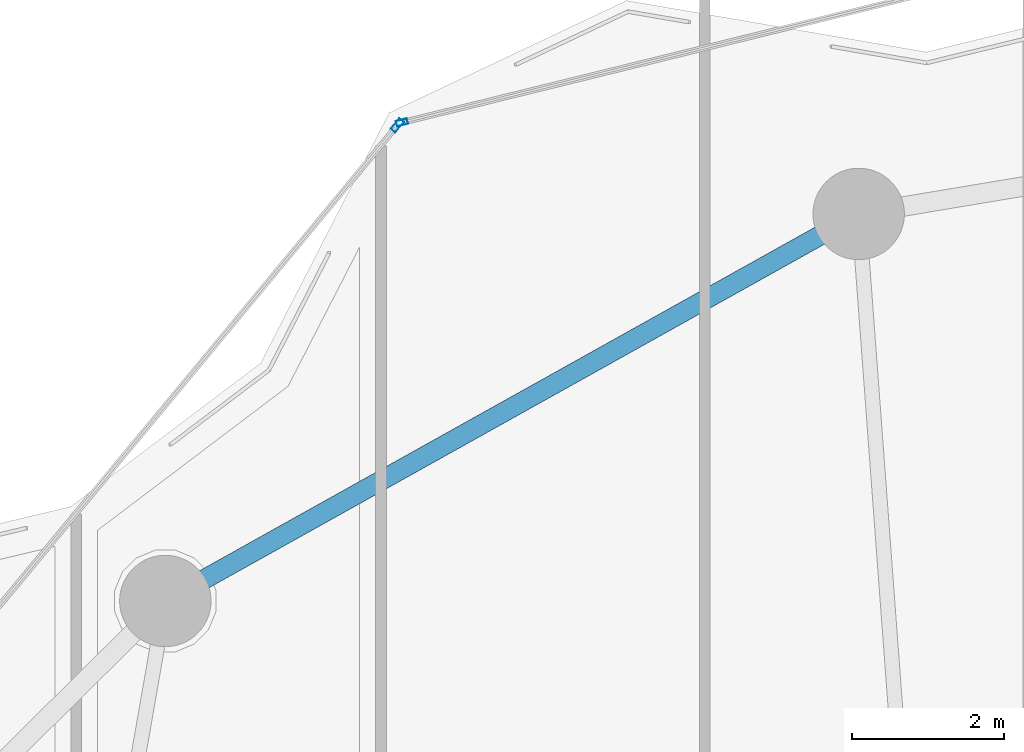
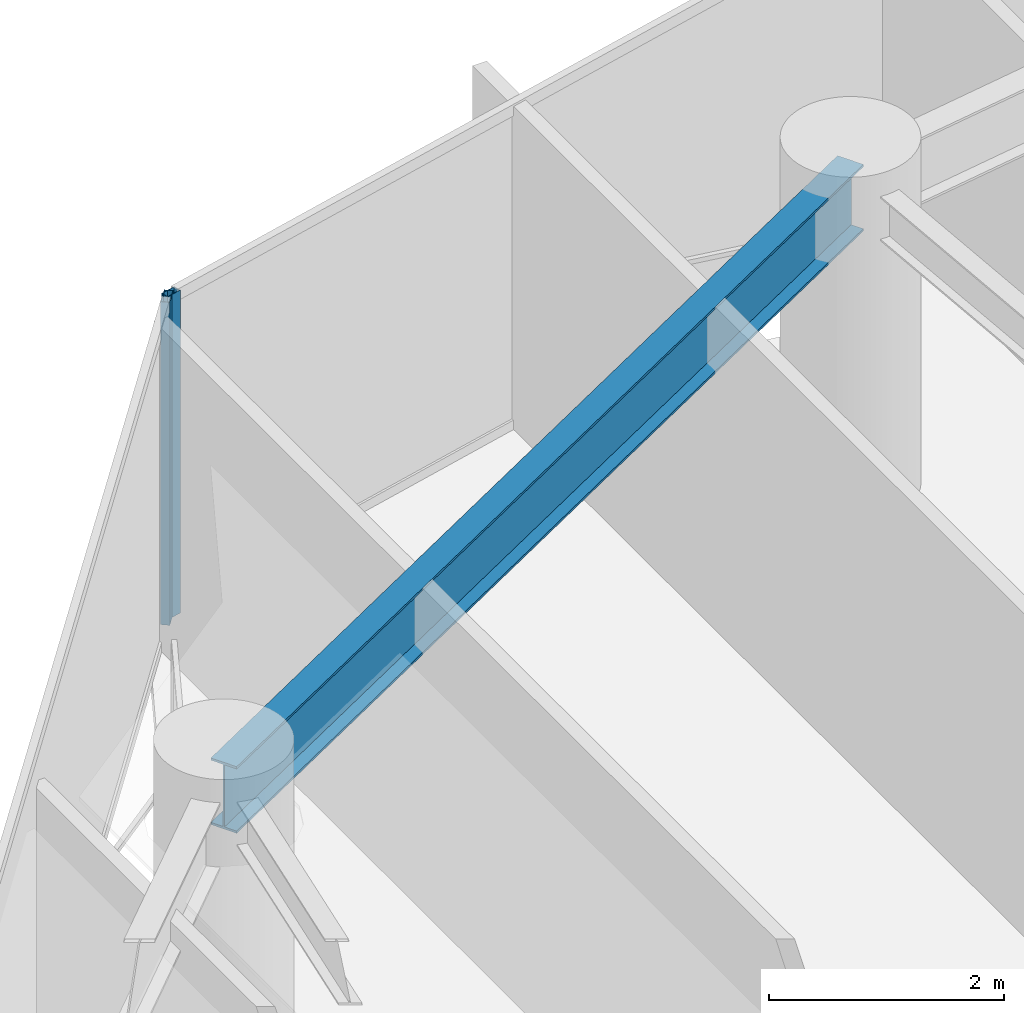
# One storey, part 17 of 28: 2 members, 1 beam, 2 elements without a shape of their own.
"""IFC4 building model written with IfcOpenShell, lengths in metres."""

from ifc_helpers import new_model, si_unit, direction, frame, origin, origin_2d, place, context, subcontext, project, spatial, hollow_rectangle, i_section, extrude, material, layer, layer_set, material_profile, profile_set, type_object, element, aggregate, save


model = new_model("IFC4")

# Units and contexts
model_context = context("Model", 3, precision=1e-05, world=origin(), true_north=direction((0.0, 1.0)))
body_context = subcontext(model_context, "Body", "Model", "MODEL_VIEW")
ifc_project = project(units=[si_unit("LENGTHUNIT", "METRE"), si_unit("AREAUNIT", "SQUARE_METRE"), si_unit("VOLUMEUNIT", "CUBIC_METRE"), si_unit("PLANEANGLEUNIT", "RADIAN"), si_unit("MASSUNIT", "GRAM", prefix="KILO")], contexts=[model_context])

# Site, building, storey
site_placement = place(None, origin())
site = spatial("IfcSite", under=ifc_project, at=site_placement, CompositionType="ELEMENT")
building_placement = place(site_placement, origin())
building = spatial("IfcBuilding", under=site, at=building_placement, Name="Kazevale Care Tower and Concert Hall", CompositionType="ELEMENT")
storey_placement = place(building_placement, frame((0.0, 0.0, 106.199951171875)))
storey = spatial("IfcBuildingStorey", under=building, at=storey_placement, Name="L27", CompositionType="ELEMENT", Elevation=106.199951171875)

# Curtain wall, member
ifc_material_1 = material(Name="Aluminium 6063-T6 and Low-E Glass", Category="aluminium")
ifc_layer_1 = layer(ifc_material_1, 0.179931640625)
ifc_layer_set_1 = layer_set([ifc_layer_1], Name="Aluminium 6063-T6 and Low-E Glass")
curtain_wall_type_1 = type_object("IfcCurtainWallType", Name="Convex Checkerboard Finned Curtain Wall CW-2", PredefinedType="NOTDEFINED", material=ifc_layer_set_1)
curtain_wall_1_placement = place(storey_placement, origin())
curtain_wall_1 = element("IfcCurtainWall", 1, at=curtain_wall_1_placement, inside=storey, type_object=curtain_wall_type_1, Name="cw:L27:f14", PredefinedType="NOTDEFINED")
ifc_material_2 = material(Name="Aluminium 6063-T6", Category="aluminium")
ifc_material_profile_1 = material_profile(ifc_material_2, hollow_rectangle(XDim=0.080078125, YDim=0.179931640625, WallThickness=0.0048828125, at=origin_2d()), Name="ALU80x180x5")
ifc_profile_set_1 = profile_set([ifc_material_profile_1], Name="Aluminium 6063-T6")
member_type_1 = type_object("IfcMemberType", Name="CW-2 Mullion ALU80x180x5", PredefinedType="MULLION", material=ifc_profile_set_1)
member_1_placement = place(storey_placement, frame((28.214599609375, 60.8212890625, 0.0), z_axis=(0.0, 0.0, 1.0), x_axis=(-0.770049579196, 0.637984048061, 0.0)))
member_1 = element("IfcMember", 2, at=member_1_placement, type_object=member_type_1, Name="CW-2 mullion 2", PredefinedType="MULLION", context=body_context, shape_type="SweptSolid", body=[
    extrude(hollow_rectangle(XDim=0.080078125, YDim=0.179931640625, WallThickness=0.0048828125, at=origin_2d()), origin(), (0.0, 0.0, 1.0), 3.360107421875),
])
aggregate(curtain_wall_1, [member_1])

ifc_layer_2 = layer(ifc_material_1, 0.179931640625)
ifc_layer_set_2 = layer_set([ifc_layer_2], Name="Aluminium 6063-T6 and Low-E Glass")
curtain_wall_type_2 = type_object("IfcCurtainWallType", Name="Convex Recessed Sunroom Curtain Wall CW-3", PredefinedType="NOTDEFINED", material=ifc_layer_set_2)
curtain_wall_2_placement = place(storey_placement, origin())
curtain_wall_2 = element("IfcCurtainWall", 3, at=curtain_wall_2_placement, inside=storey, type_object=curtain_wall_type_2, Name="cw:L27:f15", PredefinedType="NOTDEFINED")
ifc_material_profile_2 = material_profile(ifc_material_2, hollow_rectangle(XDim=0.074951171875, YDim=0.14990234375, WallThickness=0.00390625, at=origin_2d()), Name="ALU75x150x4")
ifc_profile_set_2 = profile_set([ifc_material_profile_2], Name="Aluminium 6063-T6")
member_type_2 = type_object("IfcMemberType", Name="CW-3 Mullion ALU75x150x4", PredefinedType="MULLION", material=ifc_profile_set_2)
member_2_placement = place(storey_placement, frame((28.2763671875, 60.861083984375, 0.0), z_axis=(0.0, 0.0, 1.0), x_axis=(-0.239088999495, 0.970997657217, 0.0)))
member_2 = element("IfcMember", 4, at=member_2_placement, type_object=member_type_2, Name="CW-3 mullion 1", PredefinedType="MULLION", context=body_context, shape_type="SweptSolid", body=[
    extrude(hollow_rectangle(XDim=0.074951171875, YDim=0.14990234375, WallThickness=0.00390625, at=origin_2d()), origin(), (0.0, 0.0, 1.0), 3.360107421875),
])
aggregate(curtain_wall_2, [member_2])

# Beam
ifc_material_3 = material(Name="Steel ASTM A572 Gr 50", Category="steel")
ifc_material_profile_3 = material_profile(ifc_material_3, i_section(OverallWidth=0.256103515625, OverallDepth=0.693115234375, WebThickness=0.014404296875, FlangeThickness=0.023681640625, at=origin_2d()), Name="W690x170")
ifc_profile_set_3 = profile_set([ifc_material_profile_3], Name="Steel ASTM A572 Gr 50")
beam_type = type_object("IfcBeamType", Name="Waist Ring Beam W690x170", PredefinedType="BEAM", material=ifc_profile_set_3)
beam_placement = place(storey_placement, frame((34.27001953125, 59.659912109375, 3.013427734375), z_axis=(-0.873168720251, -0.487418081297, 0.0), x_axis=(0.487418081297, -0.873168720251, 0.0)))
element("IfcBeam", 5, at=beam_placement, inside=storey, type_object=beam_type, Name="beam:L27:ring:06", PredefinedType="BEAM", context=body_context, shape_type="SweptSolid", body=[
    extrude(i_section(OverallWidth=0.256103515625, OverallDepth=0.693115234375, WebThickness=0.014404296875, FlangeThickness=0.023681640625, at=origin_2d()), origin(), (0.0, 0.0, 1.0), 10.421875),
])

save(model, "model.ifc")
